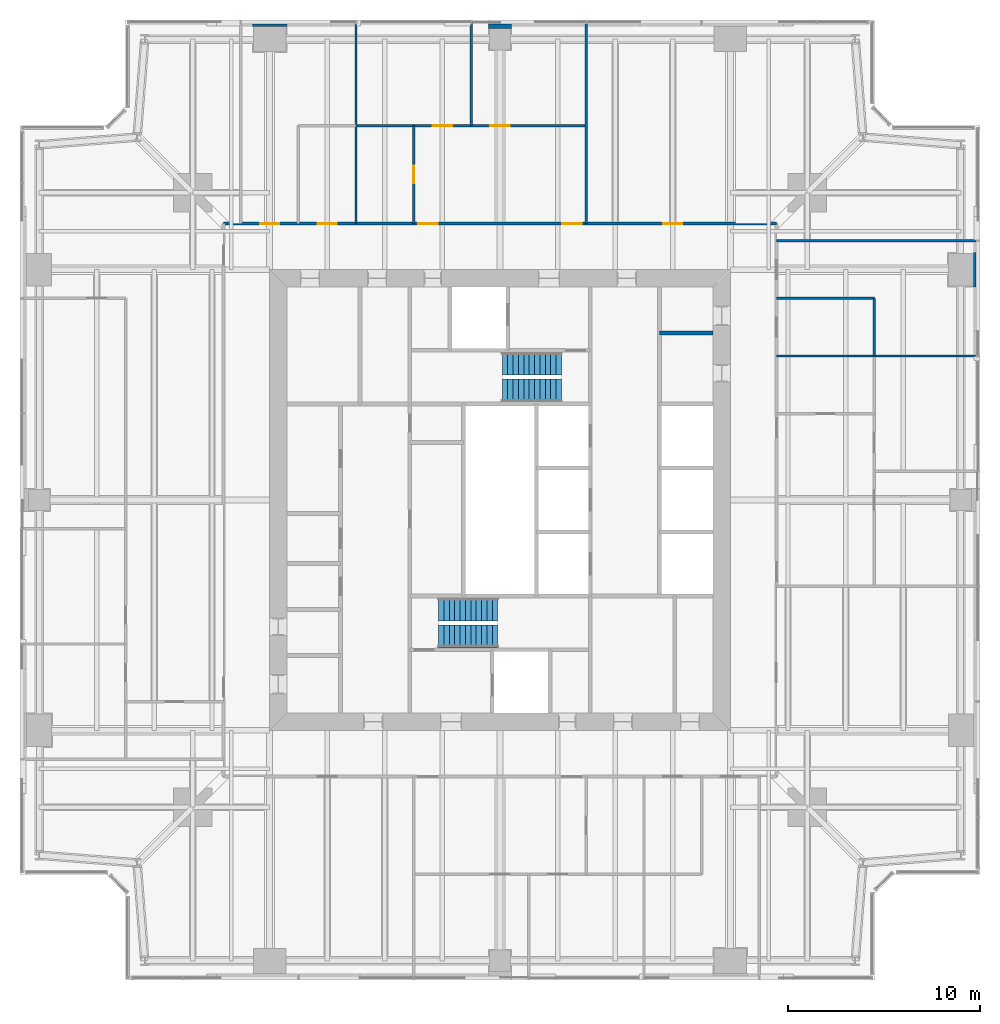
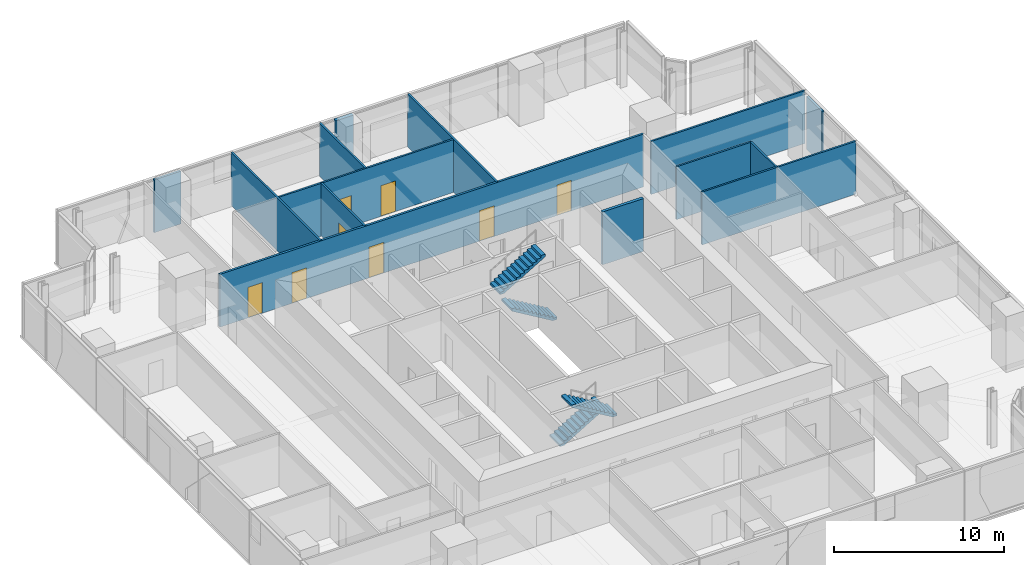
# One storey, part 12 of 15: 14 walls, 8 doors, 4 stair flights, 8 openings, 2 elements without a shape of their own.
"""IFC4 building model written with IfcOpenShell, lengths in metres."""

import ifcopenshell
import ifcopenshell.guid

model = None  # the IFC model being written
_history = None  # IfcOwnerHistory: only IFC2X3 demands one
_inside = {}  # id of a spatial element -> (the spatial element, [elements in it])
_under = {}  # id of a project, library or spatial element -> (it, [spatial elements below it])
_declared = {}  # id of a project -> (the project, [libraries it declares])
_typed = {}  # id of a type object -> (the type object, [elements of that type])
_made_of = {}  # id of a material, layer set ... -> (it, [elements and type objects made of it])


def new_model(schema):
    """Start an empty IFC model of exactly this schema.

    Asked for "IFC4X3", IfcOpenShell would pick the latest addendum, in which some entities
    have other attributes; the version numbers below select the first issue.
    IFC2X3 requires an IfcOwnerHistory on every rooted entity: one is made here for all.
    """
    global model, _history
    if schema == "IFC4X3":
        model = ifcopenshell.file(schema_version=(4, 3, 0, 0))
    else:
        model = ifcopenshell.file(schema=schema)
    _inside.clear()
    _under.clear()
    _declared.clear()
    _typed.clear()
    _made_of.clear()
    _history = None
    if model.schema == "IFC2X3":
        org = make("IfcOrganization", Name="unknown")
        user = make(
            "IfcPersonAndOrganization",
            ThePerson=make("IfcPerson", FamilyName="unknown"),
            TheOrganization=org,
        )
        app = make(
            "IfcApplication",
            ApplicationDeveloper=org,
            Version="unknown",
            ApplicationFullName="unknown",
            ApplicationIdentifier="unknown",
        )
        _history = make(
            "IfcOwnerHistory",
            OwningUser=user,
            OwningApplication=app,
            ChangeAction="ADDED",
            CreationDate=0,
        )
    return model


def make(cls, **values):
    """One entity of the class cls with the attributes given. An attribute that is None is left unset."""
    return model.create_entity(
        cls, **{name: value for name, value in values.items() if value is not None}
    )


def rooted(cls, **values):
    """An entity with a GlobalId (a new one), such as an element, a storey or a relation."""
    return make(cls, GlobalId=ifcopenshell.guid.new(), OwnerHistory=_history, **values)


def si_unit(unit_type, name, prefix=None):
    """IfcSIUnit, for example si_unit("LENGTHUNIT", "METRE", prefix="MILLI")."""
    return make("IfcSIUnit", UnitType=unit_type, Prefix=prefix, Name=name)


def assignment(units):
    """IfcUnitAssignment: the units of a project."""
    return None if units is None else make("IfcUnitAssignment", Units=units)


def point(xyz):
    """IfcCartesianPoint."""
    return None if xyz is None else make("IfcCartesianPoint", Coordinates=xyz)


def direction(xyz):
    """IfcDirection."""
    return None if xyz is None else make("IfcDirection", DirectionRatios=xyz)


def frame(location, z_axis=None, x_axis=None):
    """IfcAxis2Placement3D, a coordinate frame: its origin and axes. An axis left out is left unset."""
    return make(
        "IfcAxis2Placement3D",
        Location=point(location),
        Axis=direction(z_axis),
        RefDirection=direction(x_axis),
    )


def frame_2d(location, x_axis=None):
    """IfcAxis2Placement2D, a coordinate frame in the plane: its origin and x axis."""
    return make(
        "IfcAxis2Placement2D", Location=point(location), RefDirection=direction(x_axis)
    )


def origin():
    """The frame at (0, 0, 0) with its axes left unset."""
    return frame((0.0, 0.0, 0.0))


def place(relative_to, where):
    """IfcLocalPlacement: puts the frame where relative to a parent placement (None: the world)."""
    return make(
        "IfcLocalPlacement", PlacementRelTo=relative_to, RelativePlacement=where
    )


def context(
    kind, dimensions, precision=None, world=None, true_north=None, identifier=None
):
    """IfcGeometricRepresentationContext, for example the 3D "Model" context."""
    return make(
        "IfcGeometricRepresentationContext",
        ContextIdentifier=identifier,
        ContextType=kind,
        CoordinateSpaceDimension=dimensions,
        Precision=precision,
        WorldCoordinateSystem=world,
        TrueNorth=true_north,
    )


def subcontext(parent, identifier, kind, view, scale=None):
    """IfcGeometricRepresentationSubContext, for example "Body" below "Model"."""
    return make(
        "IfcGeometricRepresentationSubContext",
        ContextIdentifier=identifier,
        ContextType=kind,
        ParentContext=parent,
        TargetScale=scale,
        TargetView=view,
    )


def project(units=None, contexts=None):
    """IfcProject with its units and contexts."""
    return rooted(
        "IfcProject",
        Name="project",
        RepresentationContexts=contexts,
        UnitsInContext=assignment(units),
    )


def spatial(cls, under=None, at=None, **own):
    """A site, building, storey or space (cls), placed at a placement, below another one or the project."""
    s = rooted(cls, ObjectPlacement=at, **own)
    if under is not None:
        _under.setdefault(under.id(), (under, []))[1].append(s)
    return s


def polyline(points):
    """IfcPolyline through the points."""
    return make("IfcPolyline", Points=[point(p) for p in points])


def profile(cls, at=None, kind="AREA", **sizes):
    """A parametric profile (cls). Its sizes go by their IFC names, for example OverallWidth=200.0."""
    return make(cls, ProfileType=kind, Position=at, **sizes)


def rectangle(**sizes):
    """IfcRectangleProfileDef."""
    return profile("IfcRectangleProfileDef", **sizes)


def outline(outer, holes=None, kind="AREA"):
    """IfcArbitraryClosedProfileDef: a profile drawn as a closed curve; with holes, ...WithVoids."""
    if holes is None:
        return make("IfcArbitraryClosedProfileDef", ProfileType=kind, OuterCurve=outer)
    return make(
        "IfcArbitraryProfileDefWithVoids",
        ProfileType=kind,
        OuterCurve=outer,
        InnerCurves=holes,
    )


def extrude(swept, where, along, depth):
    """IfcExtrudedAreaSolid: the profile swept, set in the frame where, extruded along a direction by depth."""
    return make(
        "IfcExtrudedAreaSolid",
        SweptArea=swept,
        Position=where,
        ExtrudedDirection=direction(along),
        Depth=depth,
    )


def shape(context_of_items, identifier, shape_type, items):
    """IfcShapeRepresentation: the items that make up one representation, for example the "Body"."""
    return make(
        "IfcShapeRepresentation",
        ContextOfItems=context_of_items,
        RepresentationIdentifier=identifier,
        RepresentationType=shape_type,
        Items=items,
    )


def material(Name=None, Category=None):
    """IfcMaterial."""
    return make("IfcMaterial", Name=Name, Category=Category)


def layer(
    of_material, thickness, ventilated=None, Name=None, Category=None, Priority=None
):
    """IfcMaterialLayer: one layer of a wall or slab, of a material (None: an air gap)."""
    return make(
        "IfcMaterialLayer",
        Material=of_material,
        LayerThickness=thickness,
        IsVentilated=ventilated,
        Name=Name,
        Category=Category,
        Priority=Priority,
    )


def layer_set(layers, Name=None):
    """IfcMaterialLayerSet."""
    return make("IfcMaterialLayerSet", MaterialLayers=layers, LayerSetName=Name)


def made_of(thing, what):
    """Note that an element or type object is made of a material, layer set ...; save() writes the relation."""
    if what is not None:
        _made_of.setdefault(what.id(), (what, []))[1].append(thing)
    return thing


def type_object(cls, material=None, **own):
    """A type object (cls), such as IfcWallType, which elements share."""
    return made_of(rooted(cls, **own), material)


def element(
    cls,
    number,
    at=None,
    inside=None,
    cuts=None,
    type_object=None,
    material=None,
    context=None,
    identifier="Body",
    shape_type=None,
    held_by="IfcProductDefinitionShape",
    body=None,
    shapes=None,
    **own,
):
    """One element of the class cls, such as IfcWall. Its Tag is "e" and its number.

    at: its placement. inside: the storey or other place that contains it. cuts: it is an
    opening in that element (IfcRelVoidsElement). A single representation is given by context,
    identifier, shape_type and body (its items); several are given by shapes. held_by: the class
    of the entity that holds the representations. save() writes the other relations.
    """
    e = rooted(cls, Tag="e%d" % number, ObjectPlacement=at, **own)
    if body is not None:
        shapes = [shape(context, identifier, shape_type, body)]
    if shapes is not None:
        e.Representation = make(held_by, Representations=shapes)
    if inside is not None:
        _inside.setdefault(inside.id(), (inside, []))[1].append(e)
    if cuts is not None:
        rooted(
            "IfcRelVoidsElement", RelatingBuildingElement=cuts, RelatedOpeningElement=e
        )
    if type_object is not None:
        _typed.setdefault(type_object.id(), (type_object, []))[1].append(e)
    return made_of(e, material)


def fill(opening, filler):
    """IfcRelFillsElement: the door or window that sits in an opening."""
    return rooted(
        "IfcRelFillsElement",
        RelatingOpeningElement=opening,
        RelatedBuildingElement=filler,
    )


def aggregate(whole, parts):
    """IfcRelAggregates: a whole, such as a stair, and the parts it consists of."""
    return rooted("IfcRelAggregates", RelatingObject=whole, RelatedObjects=parts)


def save(model, path):
    """Write the relations noted so far, then the file.

    IfcRelAggregates (storeys below a building ...), IfcRelContainedInSpatialStructure (elements
    in a storey), IfcRelDefinesByType, IfcRelAssociatesMaterial and IfcRelDeclares: one each for
    every whole, place, type object, material and project.
    """
    for whole, parts in _under.values():
        aggregate(whole, parts)
    for where, things in _inside.values():
        rooted(
            "IfcRelContainedInSpatialStructure",
            RelatedElements=things,
            RelatingStructure=where,
        )
    for kind, things in _typed.values():
        rooted("IfcRelDefinesByType", RelatedObjects=things, RelatingType=kind)
    for what, things in _made_of.values():
        rooted("IfcRelAssociatesMaterial", RelatedObjects=things, RelatingMaterial=what)
    for by, libraries in _declared.values():
        rooted("IfcRelDeclares", RelatingContext=by, RelatedDefinitions=libraries)
    model.write(path)


model = new_model("IFC4")

# Units and contexts
model_context = context("Model", 3, precision=1e-05, world=origin(), true_north=direction((0.0, 1.0)))
body_context = subcontext(model_context, "Body", "Model", "MODEL_VIEW")
ifc_project = project(units=[si_unit("LENGTHUNIT", "METRE"), si_unit("AREAUNIT", "SQUARE_METRE"), si_unit("VOLUMEUNIT", "CUBIC_METRE"), si_unit("PLANEANGLEUNIT", "RADIAN"), si_unit("MASSUNIT", "GRAM", prefix="KILO")], contexts=[model_context])

# Site, building, storey
site_placement = place(None, origin())
site = spatial("IfcSite", under=ifc_project, at=site_placement, CompositionType="ELEMENT")
building_placement = place(site_placement, origin())
building = spatial("IfcBuilding", under=site, at=building_placement, Name="Fenwick Lantern Interchange", CompositionType="ELEMENT")
storey_placement = place(building_placement, frame((0.0, 0.0, 229.800048828125)))
storey = spatial("IfcBuildingStorey", under=building, at=storey_placement, Name="L54", CompositionType="ELEMENT", Elevation=229.800048828125)

# Walls
ifc_material_1 = material(Name="Fire-rated gypsum board encasement on steel studs, 2 hour", Category="steel")
ifc_layer_1 = layer(ifc_material_1, 1.199951171875)
ifc_layer_set_1 = layer_set([ifc_layer_1], Name="COLUMN PIER 1200")
wall_type_1 = type_object("IfcWallType", Name="COLUMN PIER 1200", PredefinedType="PARTITIONING", material=ifc_layer_set_1)
wall_1_placement = place(storey_placement, frame((25.0, 49.800048828125, 0.0), z_axis=(0.0, 0.0, 1.0), x_axis=(0.0, -1.0, 0.0)))
element("IfcWall", 1, at=wall_1_placement, inside=storey, type_object=wall_type_1, Name="L54/W/PIER/CN3", PredefinedType="PARTITIONING", context=body_context, shape_type="SweptSolid", body=[
    extrude(rectangle(XDim=0.25, YDim=1.199951171875, at=frame_2d((0.125, 0.0))), origin(), (0.0, 0.0, 1.0), 3.800048828125),
])
ifc_layer_2 = layer(ifc_material_1, 1.800048828125)
ifc_layer_set_2 = layer_set([ifc_layer_2], Name="COLUMN PIER 1800")
wall_type_2 = type_object("IfcWallType", Name="COLUMN PIER 1800", PredefinedType="PARTITIONING", material=ifc_layer_set_2)
for number, where, z_axis, x_axis, name in (
    (2, (49.800048828125, 37.0, 0.0), (0.0, 0.0, 1.0), (-1.0, 0.0, 0.0), "L54/W/PIER/CE4"),
    (3, (13.0, 49.800048828125, 0.0), (0.0, 0.0, 1.0), (0.0, -1.0, 0.0), "L54/W/PIER/CN4"),
):
    element("IfcWall", number, at=place(storey_placement, frame(where, z_axis=z_axis, x_axis=x_axis)), inside=storey, type_object=wall_type_2, Name=name, PredefinedType="PARTITIONING", context=body_context, shape_type="SweptSolid", body=[
        extrude(rectangle(XDim=0.150146484375, YDim=1.800048828125, at=frame_2d((0.0751953125, 0.0))), origin(), (0.0, 0.0, 1.0), 3.800048828125),
    ])
ifc_material_2 = material(Name="Concrete masonry ASTM C90 Grade N", Category="masonry")
ifc_layer_3 = layer(ifc_material_2, 0.199951171875)
ifc_layer_set_3 = layer_set([ifc_layer_3], Name="Concrete masonry ASTM C90 Grade N")
wall_type_3 = type_object("IfcWallType", Name="CORE PARTITION 200", PredefinedType="PARTITIONING", material=ifc_layer_set_3)
wall_2_placement = place(storey_placement, frame((36.10009765625, 33.699951171875, 0.0), z_axis=(0.0, 0.0, 1.0), x_axis=(-1.0, 0.0, 0.0)))
element("IfcWall", 4, at=wall_2_placement, inside=storey, type_object=wall_type_3, Name="L54/W/COREN/p1", PredefinedType="PARTITIONING", context=body_context, shape_type="SweptSolid", body=[
    extrude(rectangle(XDim=2.800048828125, YDim=0.199951171875, at=frame_2d((1.39990234375, 0.0))), origin(), (0.0, 0.0, 1.0), 3.800048828125),
])

# Wall, openings, doors
ifc_material_3 = material(Name="Gypsum board on steel studs, 1 hour", Category="steel")
ifc_layer_4 = layer(ifc_material_3, 0.14990234375)
ifc_layer_set_4 = layer_set([ifc_layer_4], Name="CORRIDOR WALL 150")
wall_type_4 = type_object("IfcWallType", Name="CORRIDOR WALL 150", PredefinedType="PARTITIONING", material=ifc_layer_set_4)
wall_3_placement = place(storey_placement, frame((39.39990234375, 39.39990234375, 0.0), z_axis=(0.0, 0.0, 1.0), x_axis=(-1.0, 0.0, 0.0)))
wall_3 = element("IfcWall", 5, at=wall_3_placement, inside=storey, type_object=wall_type_4, Name="L54/W/OFF/N/CW2", PredefinedType="PARTITIONING", context=body_context, shape_type="SweptSolid", body=[
    extrude(rectangle(XDim=28.7998046875, YDim=0.14990234375, at=frame_2d((14.39990234375, 0.0))), origin(), (0.0, 0.0, 1.0), 3.800048828125),
])
opening_1_placement = place(wall_3_placement, frame((10.14990234375, 0.0, 0.0)))
opening_1 = element("IfcOpeningElement", 6, at=opening_1_placement, cuts=wall_3, Name="Opening L54-D038", PredefinedType="OPENING", context=body_context, shape_type="SweptSolid", body=[
    extrude(rectangle(XDim=1.0, YDim=2.199951171875, at=frame_2d((0.5, 1.10009765625))), frame((0.0, 0.0849609375, 0.0), z_axis=(0.0, -1.0, 0.0), x_axis=(1.0, 0.0, 0.0)), (0.0, 0.0, 1.0), 0.169921875),
])
opening_2_placement = place(wall_3_placement, frame((17.64990234375, 0.0, 0.0)))
opening_2 = element("IfcOpeningElement", 7, at=opening_2_placement, cuts=wall_3, Name="Opening L54-D039", PredefinedType="OPENING", context=body_context, shape_type="SweptSolid", body=[
    extrude(rectangle(XDim=1.0, YDim=2.199951171875, at=frame_2d((0.5, 1.10009765625))), frame((0.0, 0.0849609375, 0.0), z_axis=(0.0, -1.0, 0.0), x_axis=(1.0, 0.0, 0.0)), (0.0, 0.0, 1.0), 0.169921875),
])
opening_3_placement = place(wall_3_placement, frame((4.89990234375, 0.0, 0.0)))
opening_3 = element("IfcOpeningElement", 8, at=opening_3_placement, cuts=wall_3, Name="Opening L54-D043", PredefinedType="OPENING", context=body_context, shape_type="SweptSolid", body=[
    extrude(rectangle(XDim=1.0, YDim=2.199951171875, at=frame_2d((0.5, 1.10009765625))), frame((0.0, 0.0849609375, 0.0), z_axis=(0.0, -1.0, 0.0), x_axis=(1.0, 0.0, 0.0)), (0.0, 0.0, 1.0), 0.169921875),
])
opening_4_placement = place(wall_3_placement, frame((22.89990234375, 0.0, 0.0)))
opening_4 = element("IfcOpeningElement", 9, at=opening_4_placement, cuts=wall_3, Name="Opening L54-D044", PredefinedType="OPENING", context=body_context, shape_type="SweptSolid", body=[
    extrude(rectangle(XDim=1.0, YDim=2.199951171875, at=frame_2d((0.5, 1.10009765625))), frame((0.0, 0.0849609375, 0.0), z_axis=(0.0, -1.0, 0.0), x_axis=(1.0, 0.0, 0.0)), (0.0, 0.0, 1.0), 0.169921875),
])
opening_5_placement = place(wall_3_placement, frame((25.89990234375, 0.0, 0.0)))
opening_5 = element("IfcOpeningElement", 10, at=opening_5_placement, cuts=wall_3, Name="Opening L54-D045", PredefinedType="OPENING", context=body_context, shape_type="SweptSolid", body=[
    extrude(rectangle(XDim=1.0, YDim=2.199951171875, at=frame_2d((0.5, 1.10009765625))), frame((0.0, 0.0849609375, 0.0), z_axis=(0.0, -1.0, 0.0), x_axis=(1.0, 0.0, 0.0)), (0.0, 0.0, 1.0), 0.169921875),
])
ifc_material_4 = material(Name="Steel door and frame", Category="steel")
door_type_1 = type_object("IfcDoorType", Name="SUITE ENTRANCE DOOR 1000 X 2200", OperationType="SINGLE_SWING_LEFT", PredefinedType="DOOR", material=ifc_material_4)
door_1_placement = place(opening_1_placement, origin())
door_1 = element("IfcDoor", 11, at=door_1_placement, inside=storey, type_object=door_type_1, Name="Suite entrance door", OperationType="SINGLE_SWING_LEFT", OverallHeight=2.199951171875, OverallWidth=1.0, PredefinedType="DOOR", context=body_context, shape_type="SweptSolid", body=[
    extrude(rectangle(XDim=1.0, YDim=2.199951171875, at=frame_2d((0.5, 1.10009765625))), frame((0.0, 0.02490234375, 0.0), z_axis=(0.0, -1.0, 0.0), x_axis=(1.0, 0.0, 0.0)), (0.0, 0.0, 1.0), 0.050048828125),
])
fill(opening_1, door_1)
door_2_placement = place(opening_2_placement, origin())
door_2 = element("IfcDoor", 12, at=door_2_placement, inside=storey, type_object=door_type_1, Name="Suite entrance door", OperationType="SINGLE_SWING_RIGHT", OverallHeight=2.199951171875, OverallWidth=1.0, PredefinedType="DOOR", context=body_context, shape_type="SweptSolid", body=[
    extrude(rectangle(XDim=1.0, YDim=2.199951171875, at=frame_2d((0.5, 1.10009765625))), frame((0.0, 0.02490234375, 0.0), z_axis=(0.0, -1.0, 0.0), x_axis=(1.0, 0.0, 0.0)), (0.0, 0.0, 1.0), 0.050048828125),
])
fill(opening_2, door_2)
door_3_placement = place(opening_3_placement, frame((1.0, 0.0, 0.0), z_axis=(0.0, 0.0, 1.0), x_axis=(-1.0, 0.0, 0.0)))
door_3 = element("IfcDoor", 13, at=door_3_placement, inside=storey, type_object=door_type_1, Name="Suite entrance door", OperationType="SINGLE_SWING_LEFT", OverallHeight=2.199951171875, OverallWidth=1.0, PredefinedType="DOOR", context=body_context, shape_type="SweptSolid", body=[
    extrude(rectangle(XDim=1.0, YDim=2.199951171875, at=frame_2d((0.5, 1.10009765625))), frame((0.0, 0.02490234375, 0.0), z_axis=(0.0, -1.0, 0.0), x_axis=(1.0, 0.0, 0.0)), (0.0, 0.0, 1.0), 0.050048828125),
])
fill(opening_3, door_3)
door_4_placement = place(opening_4_placement, frame((1.0, 0.0, 0.0), z_axis=(0.0, 0.0, 1.0), x_axis=(-1.0, 0.0, 0.0)))
door_4 = element("IfcDoor", 14, at=door_4_placement, inside=storey, type_object=door_type_1, Name="Suite entrance door", OperationType="SINGLE_SWING_RIGHT", OverallHeight=2.199951171875, OverallWidth=1.0, PredefinedType="DOOR", context=body_context, shape_type="SweptSolid", body=[
    extrude(rectangle(XDim=1.0, YDim=2.199951171875, at=frame_2d((0.5, 1.10009765625))), frame((0.0, 0.02490234375, 0.0), z_axis=(0.0, -1.0, 0.0), x_axis=(1.0, 0.0, 0.0)), (0.0, 0.0, 1.0), 0.050048828125),
])
fill(opening_4, door_4)
door_5_placement = place(opening_5_placement, frame((1.0, 0.0, 0.0), z_axis=(0.0, 0.0, 1.0), x_axis=(-1.0, 0.0, 0.0)))
door_5 = element("IfcDoor", 15, at=door_5_placement, inside=storey, type_object=door_type_1, Name="Suite entrance door", OperationType="SINGLE_SWING_RIGHT", OverallHeight=2.199951171875, OverallWidth=1.0, PredefinedType="DOOR", context=body_context, shape_type="SweptSolid", body=[
    extrude(rectangle(XDim=1.0, YDim=2.199951171875, at=frame_2d((0.5, 1.10009765625))), frame((0.0, 0.02490234375, 0.0), z_axis=(0.0, -1.0, 0.0), x_axis=(1.0, 0.0, 0.0)), (0.0, 0.0, 1.0), 0.050048828125),
])
fill(opening_5, door_5)

# Walls
ifc_material_5 = material(Name="Gypsum board on steel studs, acoustic", Category="steel")
ifc_layer_5 = layer(ifc_material_5, 0.125)
ifc_layer_set_5 = layer_set([ifc_layer_5], Name="OFFICE PARTITION 125")
wall_type_5 = type_object("IfcWallType", Name="OFFICE PARTITION 125", PredefinedType="PARTITIONING", material=ifc_layer_set_5)
wall_4_placement = place(storey_placement, frame((49.85009765625, 32.5, 0.0), z_axis=(0.0, 0.0, 1.0), x_axis=(-1.0, 0.0, 0.0)))
element("IfcWall", 16, at=wall_4_placement, inside=storey, type_object=wall_type_5, Name="L54/W/OFF/E/X325-1", PredefinedType="PARTITIONING", context=body_context, shape_type="SweptSolid", body=[
    extrude(rectangle(XDim=10.4501953125, YDim=0.125, at=frame_2d((5.22509765625, 0.0))), origin(), (0.0, 0.0, 1.0), 3.800048828125),
])
wall_5_placement = place(storey_placement, frame((44.5, 35.5, 0.0), z_axis=(0.0, 0.0, 1.0), x_axis=(-1.0, 0.0, 0.0)))
element("IfcWall", 17, at=wall_5_placement, inside=storey, type_object=wall_type_5, Name="L54/W/OFF/E/X355-1", PredefinedType="PARTITIONING", context=body_context, shape_type="SweptSolid", body=[
    extrude(rectangle(XDim=5.10009765625, YDim=0.125, at=frame_2d((2.550048828125, 0.0))), origin(), (0.0, 0.0, 1.0), 3.800048828125),
])
wall_6_placement = place(storey_placement, frame((44.5, 32.5, 0.0), z_axis=(0.0, 0.0, 1.0), x_axis=(0.0, 1.0, 0.0)))
element("IfcWall", 18, at=wall_6_placement, inside=storey, type_object=wall_type_5, Name="L54/W/OFF/E/Y55-2", PredefinedType="PARTITIONING", context=body_context, shape_type="SweptSolid", body=[
    extrude(rectangle(XDim=3.0, YDim=0.125, at=frame_2d((1.5, 0.0))), origin(), (0.0, 0.0, 1.0), 3.800048828125),
])
for number, where, z_axis, x_axis, name in (
    (19, (49.85009765625, 38.5, 0.0), (0.0, 0.0, 1.0), (-1.0, 0.0, 0.0), "L54/W/OFF/N/BACK"),
    (20, (29.5, 49.85009765625, 0.0), (0.0, 0.0, 1.0), (0.0, -1.0, 0.0), "L54/W/OFF/N/X205-1"),
):
    element("IfcWall", number, at=place(storey_placement, frame(where, z_axis=z_axis, x_axis=x_axis)), inside=storey, type_object=wall_type_5, Name=name, PredefinedType="PARTITIONING", context=body_context, shape_type="SweptSolid", body=[
        extrude(rectangle(XDim=10.4501953125, YDim=0.125, at=frame_2d((5.22509765625, 0.0))), origin(), (0.0, 0.0, 1.0), 3.800048828125),
    ])
wall_7_placement = place(storey_placement, frame((23.5, 49.85009765625, 0.0), z_axis=(0.0, 0.0, 1.0), x_axis=(0.0, -1.0, 0.0)))
element("IfcWall", 21, at=wall_7_placement, inside=storey, type_object=wall_type_5, Name="L54/W/OFF/N/X265-1", PredefinedType="PARTITIONING", context=body_context, shape_type="SweptSolid", body=[
    extrude(rectangle(XDim=5.35009765625, YDim=0.125, at=frame_2d((2.675048828125, 0.0))), origin(), (0.0, 0.0, 1.0), 3.800048828125),
])

# Wall, opening, door
wall_8_placement = place(storey_placement, frame((20.5, 44.5, 0.0), z_axis=(0.0, 0.0, 1.0), x_axis=(0.0, -1.0, 0.0)))
wall_8 = element("IfcWall", 22, at=wall_8_placement, inside=storey, type_object=wall_type_5, Name="L54/W/OFF/N/X295-1", PredefinedType="PARTITIONING", context=body_context, shape_type="SweptSolid", body=[
    extrude(rectangle(XDim=5.10009765625, YDim=0.125, at=frame_2d((2.550048828125, 0.0))), origin(), (0.0, 0.0, 1.0), 3.800048828125),
])
opening_6_placement = place(wall_8_placement, frame((2.10009765625, 0.0, 0.0)))
opening_6 = element("IfcOpeningElement", 23, at=opening_6_placement, cuts=wall_8, Name="Opening L54-D042", PredefinedType="OPENING", context=body_context, shape_type="SweptSolid", body=[
    extrude(rectangle(XDim=0.89990234375, YDim=2.199951171875, at=frame_2d((0.449951171875, 1.10009765625))), frame((0.0, 0.072509765625, 0.0), z_axis=(0.0, -1.0, 0.0), x_axis=(1.0, 0.0, 0.0)), (0.0, 0.0, 1.0), 0.14501953125),
])
ifc_material_6 = material(Name="Hardwood door and steel frame", Category="steel")
door_type_2 = type_object("IfcDoorType", Name="OFFICE DOOR 900 X 2200", OperationType="SINGLE_SWING_LEFT", PredefinedType="DOOR", material=ifc_material_6)
door_6_placement = place(opening_6_placement, frame((0.89990234375, 0.0, 0.0), z_axis=(0.0, 0.0, 1.0), x_axis=(-1.0, 0.0, 0.0)))
door_6 = element("IfcDoor", 24, at=door_6_placement, inside=storey, type_object=door_type_2, Name="Office door", OperationType="SINGLE_SWING_RIGHT", OverallHeight=2.199951171875, OverallWidth=0.89990234375, PredefinedType="DOOR", context=body_context, shape_type="SweptSolid", body=[
    extrude(rectangle(XDim=0.89990234375, YDim=2.199951171875, at=frame_2d((0.449951171875, 1.10009765625))), frame((0.0, 0.02490234375, 0.0), z_axis=(0.0, -1.0, 0.0), x_axis=(1.0, 0.0, 0.0)), (0.0, 0.0, 1.0), 0.050048828125),
])
fill(opening_6, door_6)

# Wall
wall_9_placement = place(storey_placement, frame((17.5, 49.85009765625, 0.0), z_axis=(0.0, 0.0, 1.0), x_axis=(0.0, -1.0, 0.0)))
element("IfcWall", 25, at=wall_9_placement, inside=storey, type_object=wall_type_5, Name="L54/W/OFF/N/X325-1", PredefinedType="PARTITIONING", context=body_context, shape_type="SweptSolid", body=[
    extrude(rectangle(XDim=10.4501953125, YDim=0.125, at=frame_2d((5.22509765625, 0.0))), origin(), (0.0, 0.0, 1.0), 3.800048828125),
])

# Wall, openings, doors
wall_10_placement = place(storey_placement, frame((29.5, 44.5, 0.0), z_axis=(0.0, 0.0, 1.0), x_axis=(-1.0, 0.0, 0.0)))
wall_10 = element("IfcWall", 26, at=wall_10_placement, inside=storey, type_object=wall_type_5, Name="L54/W/OFF/N/Y55-1", PredefinedType="PARTITIONING", context=body_context, shape_type="SweptSolid", body=[
    extrude(rectangle(XDim=12.0, YDim=0.125, at=frame_2d((6.0, 0.0))), origin(), (0.0, 0.0, 1.0), 3.800048828125),
])
opening_7_placement = place(wall_10_placement, frame((4.0, 0.0, 0.0)))
opening_7 = element("IfcOpeningElement", 27, at=opening_7_placement, cuts=wall_10, Name="Opening L54-D040", PredefinedType="OPENING", context=body_context, shape_type="SweptSolid", body=[
    extrude(rectangle(XDim=1.0, YDim=2.199951171875, at=frame_2d((0.5, 1.10009765625))), frame((0.0, 0.072509765625, 0.0), z_axis=(0.0, -1.0, 0.0), x_axis=(1.0, 0.0, 0.0)), (0.0, 0.0, 1.0), 0.14501953125),
])
opening_8_placement = place(wall_10_placement, frame((7.0, 0.0, 0.0)))
opening_8 = element("IfcOpeningElement", 28, at=opening_8_placement, cuts=wall_10, Name="Opening L54-D041", PredefinedType="OPENING", context=body_context, shape_type="SweptSolid", body=[
    extrude(rectangle(XDim=1.0, YDim=2.199951171875, at=frame_2d((0.5, 1.10009765625))), frame((0.0, 0.072509765625, 0.0), z_axis=(0.0, -1.0, 0.0), x_axis=(1.0, 0.0, 0.0)), (0.0, 0.0, 1.0), 0.14501953125),
])
door_type_3 = type_object("IfcDoorType", Name="MEETING ROOM DOOR 1000 X 2200", OperationType="SINGLE_SWING_LEFT", PredefinedType="DOOR", material=ifc_material_6)
door_7_placement = place(opening_7_placement, frame((1.0, 0.0, 0.0), z_axis=(0.0, 0.0, 1.0), x_axis=(-1.0, 0.0, 0.0)))
door_7 = element("IfcDoor", 29, at=door_7_placement, inside=storey, type_object=door_type_3, Name="Meeting room door", OperationType="SINGLE_SWING_LEFT", OverallHeight=2.199951171875, OverallWidth=1.0, PredefinedType="DOOR", context=body_context, shape_type="SweptSolid", body=[
    extrude(rectangle(XDim=1.0, YDim=2.199951171875, at=frame_2d((0.5, 1.10009765625))), frame((0.0, 0.02490234375, 0.0), z_axis=(0.0, -1.0, 0.0), x_axis=(1.0, 0.0, 0.0)), (0.0, 0.0, 1.0), 0.050048828125),
])
fill(opening_7, door_7)
door_8_placement = place(opening_8_placement, frame((1.0, 0.0, 0.0), z_axis=(0.0, 0.0, 1.0), x_axis=(-1.0, 0.0, 0.0)))
door_8 = element("IfcDoor", 30, at=door_8_placement, inside=storey, type_object=door_type_3, Name="Meeting room door", OperationType="SINGLE_SWING_RIGHT", OverallHeight=2.199951171875, OverallWidth=1.0, PredefinedType="DOOR", context=body_context, shape_type="SweptSolid", body=[
    extrude(rectangle(XDim=1.0, YDim=2.199951171875, at=frame_2d((0.5, 1.10009765625))), frame((0.0, 0.02490234375, 0.0), z_axis=(0.0, -1.0, 0.0), x_axis=(1.0, 0.0, 0.0)), (0.0, 0.0, 1.0), 0.050048828125),
])
fill(opening_8, door_8)

# Stair, stair flights
ifc_material_7 = material(Name="Precast concrete f'c 35 MPa", Category="concrete")
stair_type = type_object("IfcStairType", Name="EXIT STAIR 1200", PredefinedType="HALF_TURN_STAIR", material=ifc_material_7)
stair_1_placement = place(storey_placement, origin())
stair_1 = element("IfcStair", 31, at=stair_1_placement, inside=storey, type_object=stair_type, Name="Exit stair ST1", PredefinedType="HALF_TURN_STAIR")
stair_flight_type = type_object("IfcStairFlightType", Name="STAIR FLIGHT 1200", PredefinedType="STRAIGHT", material=ifc_material_7)
stair_flight_1_placement = place(storey_placement, frame((21.800048828125, 19.300048828125, 0.0), z_axis=(0.0, 0.0, 1.0), x_axis=(1.0, 0.0, 0.0)))
stair_flight_1 = element("IfcStairFlight", 32, at=stair_flight_1_placement, type_object=stair_flight_type, Name="ST1 flight 1", NumberOfRisers=12, NumberOfTreads=11, PredefinedType="STRAIGHT", RiserHeight=0.166666667, TreadLength=0.28, context=body_context, shape_type="SweptSolid", body=[
    extrude(outline(polyline([(0.0, 0.0), (0.0, 0.166748046875), (0.280029296875, 0.166748046875), (0.280029296875, 0.333251953125), (0.56005859375, 0.333251953125), (0.56005859375, 0.5), (0.840087890625, 0.5), (0.840087890625, 0.666748046875), (1.1201171875, 0.666748046875), (1.1201171875, 0.833251953125), (1.39990234375, 0.833251953125), (1.39990234375, 1.0), (1.679931640625, 1.0), (1.679931640625, 1.166748046875), (1.9599609375, 1.166748046875), (1.9599609375, 1.333251953125), (2.239990234375, 1.333251953125), (2.239990234375, 1.5), (2.52001953125, 1.5), (2.52001953125, 1.666748046875), (2.800048828125, 1.666748046875), (2.800048828125, 1.833251953125), (3.080078125, 1.833251953125), (3.080078125, 2.0), (3.080078125, 1.658935546875), (0.29296875, 0.0), (0.0, 0.0)])), frame((0.0, 0.60009765625, 0.0), z_axis=(0.0, -1.0, 0.0), x_axis=(1.0, 0.0, 0.0)), (0.0, 0.0, 1.0), 1.199951171875),
])
stair_flight_2_placement = place(storey_placement, frame((24.8798828125, 17.89990234375, 2.0), z_axis=(0.0, 0.0, 1.0), x_axis=(-1.0, 0.0, 0.0)))
stair_flight_2 = element("IfcStairFlight", 33, at=stair_flight_2_placement, type_object=stair_flight_type, Name="ST1 flight 2", NumberOfRisers=12, NumberOfTreads=11, PredefinedType="STRAIGHT", RiserHeight=0.166666667, TreadLength=0.28, context=body_context, shape_type="SweptSolid", body=[
    extrude(outline(polyline([(0.0, 0.0), (0.0, 0.166748046875), (0.280029296875, 0.166748046875), (0.280029296875, 0.333251953125), (0.56005859375, 0.333251953125), (0.56005859375, 0.5), (0.840087890625, 0.5), (0.840087890625, 0.666748046875), (1.1201171875, 0.666748046875), (1.1201171875, 0.833251953125), (1.39990234375, 0.833251953125), (1.39990234375, 1.0), (1.679931640625, 1.0), (1.679931640625, 1.166748046875), (1.9599609375, 1.166748046875), (1.9599609375, 1.333251953125), (2.239990234375, 1.333251953125), (2.239990234375, 1.5), (2.52001953125, 1.5), (2.52001953125, 1.666748046875), (2.800048828125, 1.666748046875), (2.800048828125, 1.833251953125), (3.080078125, 1.833251953125), (3.080078125, 2.0), (3.080078125, 1.658935546875), (0.29296875, 0.0), (0.0, 0.0)])), frame((0.0, 0.60009765625, 0.0), z_axis=(0.0, -1.0, 0.0), x_axis=(1.0, 0.0, 0.0)), (0.0, 0.0, 1.0), 1.199951171875),
])
aggregate(stair_1, [stair_flight_1, stair_flight_2])

stair_2_placement = place(storey_placement, origin())
stair_2 = element("IfcStair", 34, at=stair_2_placement, inside=storey, type_object=stair_type, Name="Exit stair ST2", PredefinedType="HALF_TURN_STAIR")
stair_flight_3_placement = place(storey_placement, frame((28.199951171875, 30.699951171875, 0.0), z_axis=(0.0, 0.0, 1.0), x_axis=(-1.0, 0.0, 0.0)))
stair_flight_3 = element("IfcStairFlight", 35, at=stair_flight_3_placement, type_object=stair_flight_type, Name="ST2 flight 1", NumberOfRisers=12, NumberOfTreads=11, PredefinedType="STRAIGHT", RiserHeight=0.166666667, TreadLength=0.28, context=body_context, shape_type="SweptSolid", body=[
    extrude(outline(polyline([(0.0, 0.0), (0.0, 0.166748046875), (0.280029296875, 0.166748046875), (0.280029296875, 0.333251953125), (0.56005859375, 0.333251953125), (0.56005859375, 0.5), (0.840087890625, 0.5), (0.840087890625, 0.666748046875), (1.1201171875, 0.666748046875), (1.1201171875, 0.833251953125), (1.39990234375, 0.833251953125), (1.39990234375, 1.0), (1.679931640625, 1.0), (1.679931640625, 1.166748046875), (1.9599609375, 1.166748046875), (1.9599609375, 1.333251953125), (2.239990234375, 1.333251953125), (2.239990234375, 1.5), (2.52001953125, 1.5), (2.52001953125, 1.666748046875), (2.800048828125, 1.666748046875), (2.800048828125, 1.833251953125), (3.080078125, 1.833251953125), (3.080078125, 2.0), (3.080078125, 1.658935546875), (0.29296875, 0.0), (0.0, 0.0)])), frame((0.0, 0.60009765625, 0.0), z_axis=(0.0, -1.0, 0.0), x_axis=(1.0, 0.0, 0.0)), (0.0, 0.0, 1.0), 1.199951171875),
])
stair_flight_4_placement = place(storey_placement, frame((25.1201171875, 32.10009765625, 2.0), z_axis=(0.0, 0.0, 1.0), x_axis=(1.0, 0.0, 0.0)))
stair_flight_4 = element("IfcStairFlight", 36, at=stair_flight_4_placement, type_object=stair_flight_type, Name="ST2 flight 2", NumberOfRisers=12, NumberOfTreads=11, PredefinedType="STRAIGHT", RiserHeight=0.166666667, TreadLength=0.28, context=body_context, shape_type="SweptSolid", body=[
    extrude(outline(polyline([(0.0, 0.0), (0.0, 0.166748046875), (0.280029296875, 0.166748046875), (0.280029296875, 0.333251953125), (0.56005859375, 0.333251953125), (0.56005859375, 0.5), (0.840087890625, 0.5), (0.840087890625, 0.666748046875), (1.1201171875, 0.666748046875), (1.1201171875, 0.833251953125), (1.39990234375, 0.833251953125), (1.39990234375, 1.0), (1.679931640625, 1.0), (1.679931640625, 1.166748046875), (1.9599609375, 1.166748046875), (1.9599609375, 1.333251953125), (2.239990234375, 1.333251953125), (2.239990234375, 1.5), (2.52001953125, 1.5), (2.52001953125, 1.666748046875), (2.800048828125, 1.666748046875), (2.800048828125, 1.833251953125), (3.080078125, 1.833251953125), (3.080078125, 2.0), (3.080078125, 1.658935546875), (0.29296875, 0.0), (0.0, 0.0)])), frame((0.0, 0.60009765625, 0.0), z_axis=(0.0, -1.0, 0.0), x_axis=(1.0, 0.0, 0.0)), (0.0, 0.0, 1.0), 1.199951171875),
])
aggregate(stair_2, [stair_flight_3, stair_flight_4])

save(model, "model.ifc")
